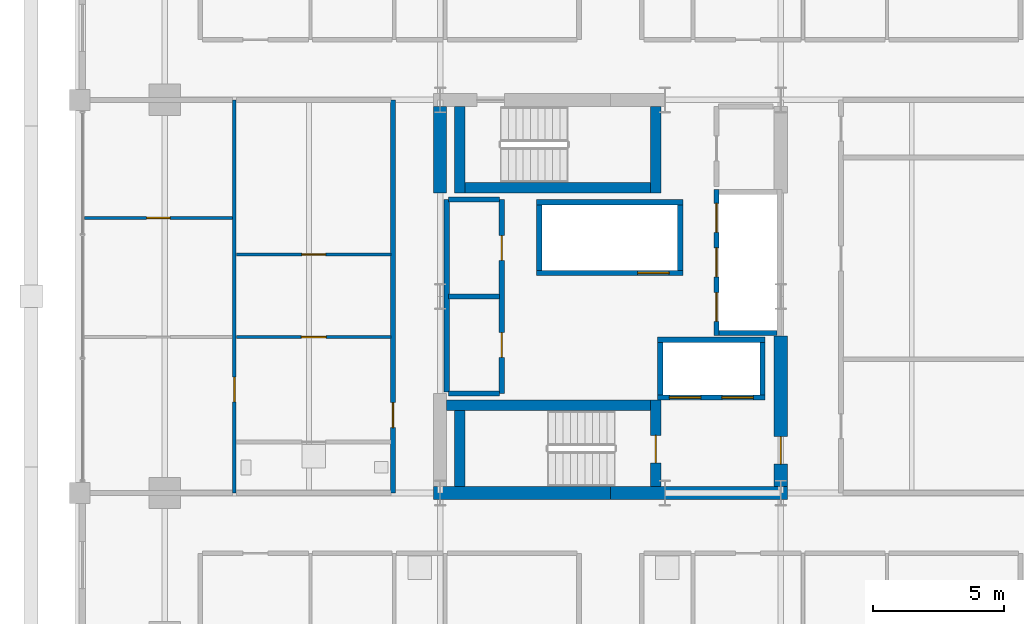
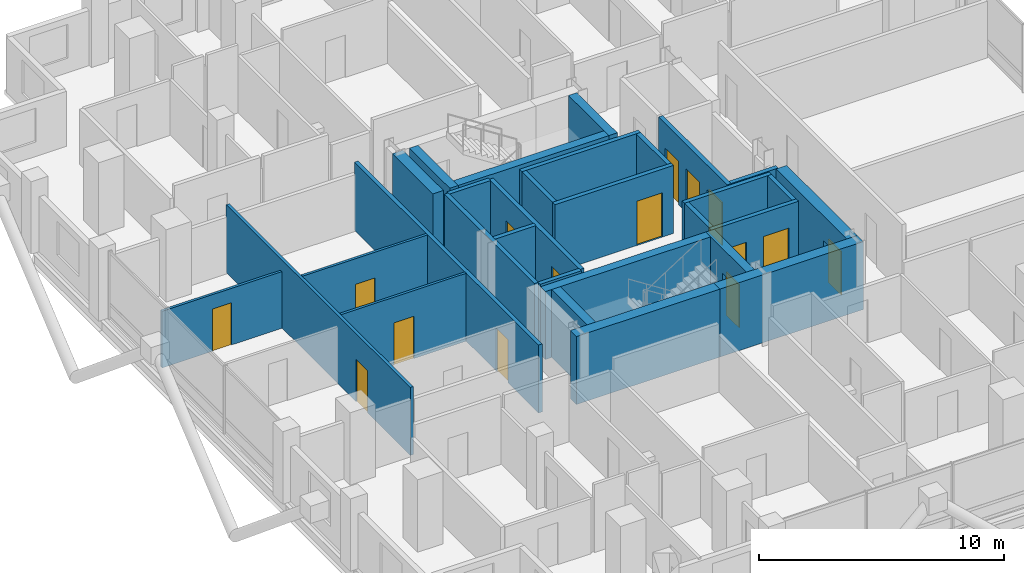
# One storey, part 18 of 23: 30 walls, 15 doors, 15 openings.
"""IFC4 building model written with IfcOpenShell, lengths in metres."""

from ifc_helpers import new_model, si_unit, direction, frame, frame_2d, origin, place, context, subcontext, project, spatial, rectangle, extrude, material, layer, layer_set, type_object, element, fill, save


model = new_model("IFC4")

# Units and contexts
model_context = context("Model", 3, precision=1e-05, world=origin(), true_north=direction((0.0, 1.0)))
body_context = subcontext(model_context, "Body", "Model", "MODEL_VIEW")
ifc_project = project(units=[si_unit("LENGTHUNIT", "METRE"), si_unit("AREAUNIT", "SQUARE_METRE"), si_unit("VOLUMEUNIT", "CUBIC_METRE"), si_unit("PLANEANGLEUNIT", "RADIAN"), si_unit("MASSUNIT", "GRAM", prefix="KILO")], contexts=[model_context])

# Site, building, storey
site_placement = place(None, origin())
site = spatial("IfcSite", under=ifc_project, at=site_placement, CompositionType="ELEMENT")
building_placement = place(site_placement, origin())
building = spatial("IfcBuilding", under=site, at=building_placement, Name="Barlavira Tower and Art Museum", CompositionType="ELEMENT")
storey_placement = place(building_placement, frame((0.0, 0.0, 140.39990234375)))
storey = spatial("IfcBuildingStorey", under=building, at=storey_placement, Name="L35", CompositionType="ELEMENT", Elevation=140.39990234375)

# Wall, opening, door
ifc_material_1 = material(Name="Gypsum acoustic stud partition", Category="gypsum")
ifc_layer_1 = layer(ifc_material_1, 0.1201171875, Name="Gypsum acoustic stud partition")
ifc_layer_set_1 = layer_set([ifc_layer_1], Name="Gypsum acoustic stud partition")
wall_type_1 = type_object("IfcWallType", Name="Apartment Internal Acoustic Partition 120", PredefinedType="PARTITIONING", material=ifc_layer_set_1)
wall_1_placement = place(storey_placement, frame((-14.27001953125, -1.550048828125, 0.0), z_axis=(0.0, 0.0, 1.0), x_axis=(1.0, 0.0, 0.0)))
wall_1 = element("IfcWall", 1, at=wall_1_placement, inside=storey, type_object=wall_type_1, Name="L35 Partition Wall 54", PredefinedType="PARTITIONING", context=body_context, shape_type="SweptSolid", body=[
    extrude(rectangle(XDim=5.89013671875, YDim=0.1201171875, at=frame_2d((2.945068359375, 0.0))), origin(), (0.0, 0.0, 1.0), 3.380126953125),
])
opening_1_placement = place(wall_1_placement, frame((2.47509765625, 0.0, 0.0)))
opening_1 = element("IfcOpeningElement", 2, at=opening_1_placement, cuts=wall_1, Name="Opening D-02", PredefinedType="OPENING", context=body_context, shape_type="SweptSolid", body=[
    extrude(rectangle(XDim=0.949951171875, YDim=2.10009765625, at=frame_2d((0.47509765625, 1.050048828125))), frame((0.0, 0.070068359375, 0.0), z_axis=(0.0, -1.0, 0.0), x_axis=(1.0, 0.0, 0.0)), (0.0, 0.0, 1.0), 0.14013671875),
])
ifc_material_2 = material(Name="Engineered coastal hardwood", Category="wood")
door_type_1 = type_object("IfcDoorType", Name="Living and Salon Glazed-Leaf Door 950x2100", OperationType="NOTDEFINED", PredefinedType="DOOR", material=ifc_material_2)
door_1_placement = place(opening_1_placement, origin())
door_1 = element("IfcDoor", 3, at=door_1_placement, inside=storey, type_object=door_type_1, Name="Apartment W1 Kitchen Door", OperationType="SINGLE_SWING_LEFT", OverallHeight=2.10009765625, OverallWidth=0.949951171875, PredefinedType="DOOR", context=body_context, shape_type="SweptSolid", body=[
    extrude(rectangle(XDim=0.949951171875, YDim=2.10009765625, at=frame_2d((0.47509765625, 1.050048828125))), frame((0.0, 0.02490234375, 0.0), z_axis=(0.0, -1.0, 0.0), x_axis=(1.0, 0.0, 0.0)), (0.0, 0.0, 1.0), 0.050048828125),
])
fill(opening_1, door_1)

wall_2_placement = place(storey_placement, frame((-14.27001953125, 1.60009765625, 0.0), z_axis=(0.0, 0.0, 1.0), x_axis=(1.0, 0.0, 0.0)))
wall_2 = element("IfcWall", 4, at=wall_2_placement, inside=storey, type_object=wall_type_1, Name="L35 Partition Wall 56", PredefinedType="PARTITIONING", context=body_context, shape_type="SweptSolid", body=[
    extrude(rectangle(XDim=5.89013671875, YDim=0.1201171875, at=frame_2d((2.945068359375, 0.0))), origin(), (0.0, 0.0, 1.0), 3.380126953125),
])
opening_2_placement = place(wall_2_placement, frame((2.5, 0.0, 0.0)))
opening_2 = element("IfcOpeningElement", 5, at=opening_2_placement, cuts=wall_2, Name="Opening D-01", PredefinedType="OPENING", context=body_context, shape_type="SweptSolid", body=[
    extrude(rectangle(XDim=0.89990234375, YDim=2.10009765625, at=frame_2d((0.449951171875, 1.050048828125))), frame((0.0, 0.070068359375, 0.0), z_axis=(0.0, -1.0, 0.0), x_axis=(1.0, 0.0, 0.0)), (0.0, 0.0, 1.0), 0.14013671875),
])
door_type_2 = type_object("IfcDoorType", Name="Internal Bedroom Timber Flush Door 900x2100", OperationType="NOTDEFINED", PredefinedType="DOOR", material=ifc_material_2)
door_2_placement = place(opening_2_placement, origin())
door_2 = element("IfcDoor", 6, at=door_2_placement, inside=storey, type_object=door_type_2, Name="Apartment W1 Walk-In Dressing Room Door", OperationType="SINGLE_SWING_RIGHT", OverallHeight=2.10009765625, OverallWidth=0.89990234375, PredefinedType="DOOR", context=body_context, shape_type="SweptSolid", body=[
    extrude(rectangle(XDim=0.89990234375, YDim=2.10009765625, at=frame_2d((0.449951171875, 1.050048828125))), frame((0.0, 0.02490234375, 0.0), z_axis=(0.0, -1.0, 0.0), x_axis=(1.0, 0.0, 0.0)), (0.0, 0.0, 1.0), 0.050048828125),
])
fill(opening_2, door_2)

wall_3_placement = place(storey_placement, frame((-20.070068359375, 3.0, 0.0), z_axis=(0.0, 0.0, 1.0), x_axis=(1.0, 0.0, 0.0)))
wall_3 = element("IfcWall", 7, at=wall_3_placement, inside=storey, type_object=wall_type_1, Name="L35 Partition Wall 57", PredefinedType="PARTITIONING", context=body_context, shape_type="SweptSolid", body=[
    extrude(rectangle(XDim=5.64013671875, YDim=0.1201171875, at=frame_2d((2.820068359375, 0.0))), origin(), (0.0, 0.0, 1.0), 2.816162109375),
])
opening_3_placement = place(wall_3_placement, frame((2.3701171875, 0.0, 0.0)))
opening_3 = element("IfcOpeningElement", 8, at=opening_3_placement, cuts=wall_3, Name="Opening D-01", PredefinedType="OPENING", context=body_context, shape_type="SweptSolid", body=[
    extrude(rectangle(XDim=0.89990234375, YDim=2.10009765625, at=frame_2d((0.449951171875, 1.050048828125))), frame((0.0, 0.070068359375, 0.0), z_axis=(0.0, -1.0, 0.0), x_axis=(1.0, 0.0, 0.0)), (0.0, 0.0, 1.0), 0.14013671875),
])
door_3_placement = place(opening_3_placement, origin())
door_3 = element("IfcDoor", 9, at=door_3_placement, inside=storey, type_object=door_type_2, Name="Apartment W1 Bedroom 2 Door", OperationType="SINGLE_SWING_LEFT", OverallHeight=2.10009765625, OverallWidth=0.89990234375, PredefinedType="DOOR", context=body_context, shape_type="SweptSolid", body=[
    extrude(rectangle(XDim=0.89990234375, YDim=2.10009765625, at=frame_2d((0.449951171875, 1.050048828125))), frame((0.0, 0.02490234375, 0.0), z_axis=(0.0, -1.0, 0.0), x_axis=(1.0, 0.0, 0.0)), (0.0, 0.0, 1.0), 0.050048828125),
])
fill(opening_3, door_3)

# Walls
ifc_material_3 = material(Name="Concrete C60", Category="concrete")
ifc_layer_2 = layer(ifc_material_3, 0.5, Name="Concrete C60")
ifc_layer_set_2 = layer_set([ifc_layer_2], Name="Concrete C60")
wall_type_2 = type_object("IfcWallType", Name="Core Structural Shear Wall 500 Concrete C60", PredefinedType="SHEAR", material=ifc_layer_set_2)
for number, where, z_axis, x_axis, name in (
    (10, (-6.75, -7.5, 0.0), (0.0, 0.0, 1.0), (1.0, 0.0, 0.0), "L35 Core Shear Wall CS-SW"),
    (11, (0.0, -7.5, 0.0), (0.0, 0.0, 1.0), (1.0, 0.0, 0.0), "L35 Core Shear Wall CS-SE"),
):
    element("IfcWall", number, at=place(storey_placement, frame(where, z_axis=z_axis, x_axis=x_axis)), inside=storey, type_object=wall_type_2, Name=name, PredefinedType="SHEAR", context=body_context, shape_type="SweptSolid", body=[
        extrude(rectangle(XDim=6.75, YDim=0.5, at=frame_2d((3.375, 0.0))), origin(), (0.0, 0.0, 1.0), 3.380126953125),
    ])
wall_4_placement = place(storey_placement, frame((-6.5, 3.949951171875, 0.0), z_axis=(0.0, 0.0, 1.0), x_axis=(0.0, 1.0, 0.0)))
element("IfcWall", 12, at=wall_4_placement, inside=storey, type_object=wall_type_2, Name="L35 Core Shear Wall CS-W2", PredefinedType="SHEAR", context=body_context, shape_type="SweptSolid", body=[
    extrude(rectangle(XDim=3.300048828125, YDim=0.5, at=frame_2d((1.64990234375, 0.0))), origin(), (0.0, 0.0, 1.0), 3.380126953125),
])

# Wall, opening, door
wall_5_placement = place(storey_placement, frame((6.5, -7.25, 0.0), z_axis=(0.0, 0.0, 1.0), x_axis=(0.0, 1.0, 0.0)))
wall_5 = element("IfcWall", 13, at=wall_5_placement, inside=storey, type_object=wall_type_2, Name="L35 Core Shear Wall CS-E1", PredefinedType="SHEAR", context=body_context, shape_type="SweptSolid", body=[
    extrude(rectangle(XDim=5.75, YDim=0.5, at=frame_2d((2.875, 0.0))), origin(), (0.0, 0.0, 1.0), 3.380126953125),
])
opening_4_placement = place(wall_5_placement, frame((0.85009765625, 0.0, 0.0)))
opening_4 = element("IfcOpeningElement", 14, at=opening_4_placement, cuts=wall_5, Name="Opening FD-90", PredefinedType="OPENING", context=body_context, shape_type="SweptSolid", body=[
    extrude(rectangle(XDim=1.050048828125, YDim=2.14990234375, at=frame_2d((0.52490234375, 1.074951171875))), frame((0.0, 0.260009765625, 0.0), z_axis=(0.0, -1.0, 0.0), x_axis=(1.0, 0.0, 0.0)), (0.0, 0.0, 1.0), 0.52001953125),
])
ifc_material_4 = material(Name="Brushed stainless steel", Category="steel")
door_type_3 = type_object("IfcDoorType", Name="Stair and Refuge Fire Door 1050x2150 FD90S", OperationType="NOTDEFINED", PredefinedType="DOOR", material=ifc_material_4)
door_4_placement = place(opening_4_placement, origin())
door_4 = element("IfcDoor", 15, at=door_4_placement, inside=storey, type_object=door_type_3, Name="L35 Firefighting Lobby Entry Fire Door", OperationType="SINGLE_SWING_LEFT", OverallHeight=2.14990234375, OverallWidth=1.050048828125, PredefinedType="DOOR", context=body_context, shape_type="SweptSolid", body=[
    extrude(rectangle(XDim=1.050048828125, YDim=2.14990234375, at=frame_2d((0.52490234375, 1.074951171875))), frame((0.0, 0.02490234375, 0.0), z_axis=(0.0, -1.0, 0.0), x_axis=(1.0, 0.0, 0.0)), (0.0, 0.0, 1.0), 0.050048828125),
])
fill(opening_4, door_4)

# Wall, openings, doors
ifc_material_5 = material(Name="Autoclaved aerated concrete masonry", Category="masonry")
ifc_layer_3 = layer(ifc_material_5, 0.199951171875, Name="Autoclaved aerated concrete masonry")
ifc_layer_set_3 = layer_set([ifc_layer_3], Name="Autoclaved aerated concrete masonry")
wall_type_3 = type_object("IfcWallType", Name="Fire Compartment and Shaft Wall 200", PredefinedType="SOLIDWALL", material=ifc_layer_set_3)
wall_6_placement = place(storey_placement, frame((4.050048828125, -1.489990234375, 0.0), z_axis=(0.0, 0.0, 1.0), x_axis=(0.0, 1.0, 0.0)))
wall_6 = element("IfcWall", 16, at=wall_6_placement, inside=storey, type_object=wall_type_3, Name="L35 Mid-Rise Lift Front Shaft Wall", PredefinedType="SOLIDWALL", context=body_context, shape_type="SweptSolid", body=[
    extrude(rectangle(XDim=5.580078125, YDim=0.199951171875, at=frame_2d((2.7900390625, 0.0))), origin(), (0.0, 0.0, 1.0), 3.380126953125),
])
opening_5_placement = place(wall_6_placement, frame((0.5400390625, 0.0, 0.0)))
opening_5 = element("IfcOpeningElement", 17, at=opening_5_placement, cuts=wall_6, Name="Opening LD-P", PredefinedType="OPENING", context=body_context, shape_type="SweptSolid", body=[
    extrude(rectangle(XDim=1.10009765625, YDim=2.14990234375, at=frame_2d((0.550048828125, 1.074951171875))), frame((0.0, 0.10986328125, 0.0), z_axis=(0.0, -1.0, 0.0), x_axis=(1.0, 0.0, 0.0)), (0.0, 0.0, 1.0), 0.219970703125),
])
opening_6_placement = place(wall_6_placement, frame((2.239990234375, 0.0, 0.0)))
opening_6 = element("IfcOpeningElement", 18, at=opening_6_placement, cuts=wall_6, Name="Opening LD-P", PredefinedType="OPENING", context=body_context, shape_type="SweptSolid", body=[
    extrude(rectangle(XDim=1.10009765625, YDim=2.14990234375, at=frame_2d((0.550048828125, 1.074951171875))), frame((0.0, 0.10986328125, 0.0), z_axis=(0.0, -1.0, 0.0), x_axis=(1.0, 0.0, 0.0)), (0.0, 0.0, 1.0), 0.219970703125),
])
opening_7_placement = place(wall_6_placement, frame((3.93994140625, 0.0, 0.0)))
opening_7 = element("IfcOpeningElement", 19, at=opening_7_placement, cuts=wall_6, Name="Opening LD-P", PredefinedType="OPENING", context=body_context, shape_type="SweptSolid", body=[
    extrude(rectangle(XDim=1.10009765625, YDim=2.14990234375, at=frame_2d((0.550048828125, 1.074951171875))), frame((0.0, 0.10986328125, 0.0), z_axis=(0.0, -1.0, 0.0), x_axis=(1.0, 0.0, 0.0)), (0.0, 0.0, 1.0), 0.219970703125),
])
door_type_4 = type_object("IfcDoorType", Name="Passenger Lift Sliding Landing Door 1100x2150 FD60", OperationType="NOTDEFINED", PredefinedType="DOOR", material=ifc_material_4)
door_5_placement = place(opening_5_placement, origin())
door_5 = element("IfcDoor", 20, at=door_5_placement, inside=storey, type_object=door_type_4, Name="L35 Lift PM1 Sliding Landing Door", OperationType="DOUBLE_DOOR_SLIDING", OverallHeight=2.14990234375, OverallWidth=1.10009765625, PredefinedType="DOOR", context=body_context, shape_type="SweptSolid", body=[
    extrude(rectangle(XDim=1.10009765625, YDim=2.14990234375, at=frame_2d((0.550048828125, 1.074951171875))), frame((0.0, 0.02490234375, 0.0), z_axis=(0.0, -1.0, 0.0), x_axis=(1.0, 0.0, 0.0)), (0.0, 0.0, 1.0), 0.050048828125),
])
fill(opening_5, door_5)
door_6_placement = place(opening_6_placement, origin())
door_6 = element("IfcDoor", 21, at=door_6_placement, inside=storey, type_object=door_type_4, Name="L35 Lift PM2 Sliding Landing Door", OperationType="DOUBLE_DOOR_SLIDING", OverallHeight=2.14990234375, OverallWidth=1.10009765625, PredefinedType="DOOR", context=body_context, shape_type="SweptSolid", body=[
    extrude(rectangle(XDim=1.10009765625, YDim=2.14990234375, at=frame_2d((0.550048828125, 1.074951171875))), frame((0.0, 0.02490234375, 0.0), z_axis=(0.0, -1.0, 0.0), x_axis=(1.0, 0.0, 0.0)), (0.0, 0.0, 1.0), 0.050048828125),
])
fill(opening_6, door_6)
door_7_placement = place(opening_7_placement, origin())
door_7 = element("IfcDoor", 22, at=door_7_placement, inside=storey, type_object=door_type_4, Name="L35 Lift PM3 Sliding Landing Door", OperationType="DOUBLE_DOOR_SLIDING", OverallHeight=2.14990234375, OverallWidth=1.10009765625, PredefinedType="DOOR", context=body_context, shape_type="SweptSolid", body=[
    extrude(rectangle(XDim=1.10009765625, YDim=2.14990234375, at=frame_2d((0.550048828125, 1.074951171875))), frame((0.0, 0.02490234375, 0.0), z_axis=(0.0, -1.0, 0.0), x_axis=(1.0, 0.0, 0.0)), (0.0, 0.0, 1.0), 0.050048828125),
])
fill(opening_7, door_7)

# Wall
wall_7_placement = place(storey_placement, frame((4.14990234375, -1.389892578125, 0.0), z_axis=(0.0, 0.0, 1.0), x_axis=(1.0, 0.0, 0.0)))
element("IfcWall", 23, at=wall_7_placement, inside=storey, type_object=wall_type_3, Name="L35 Mid-Rise Lift South Shaft Wall", PredefinedType="SOLIDWALL", context=body_context, shape_type="SweptSolid", body=[
    extrude(rectangle(XDim=2.2001953125, YDim=0.199951171875, at=frame_2d((1.10009765625, 0.0))), origin(), (0.0, 0.0, 1.0), 3.380126953125),
])

# Wall, opening, door
wall_8_placement = place(storey_placement, frame((-2.820068359375, 0.89990234375, 0.0), z_axis=(0.0, 0.0, 1.0), x_axis=(1.0, 0.0, 0.0)))
wall_8 = element("IfcWall", 24, at=wall_8_placement, inside=storey, type_object=wall_type_3, Name="L35 High-Rise & Service Lift Front Wall", PredefinedType="SOLIDWALL", context=body_context, shape_type="SweptSolid", body=[
    extrude(rectangle(XDim=5.580078125, YDim=0.199951171875, at=frame_2d((2.7900390625, 0.0))), origin(), (0.0, 0.0, 1.0), 3.380126953125),
])
opening_8_placement = place(wall_8_placement, frame((3.860107421875, 0.0, 0.0)))
opening_8 = element("IfcOpeningElement", 25, at=opening_8_placement, cuts=wall_8, Name="Opening LD-F", PredefinedType="OPENING", context=body_context, shape_type="SweptSolid", body=[
    extrude(rectangle(XDim=1.199951171875, YDim=2.199951171875, at=frame_2d((0.60009765625, 1.10009765625))), frame((0.0, 0.10986328125, 0.0), z_axis=(0.0, -1.0, 0.0), x_axis=(1.0, 0.0, 0.0)), (0.0, 0.0, 1.0), 0.219970703125),
])
door_type_5 = type_object("IfcDoorType", Name="Firefighting and Service Lift Sliding Door 1200x2200 FD120", OperationType="NOTDEFINED", PredefinedType="DOOR", material=ifc_material_4)
door_8_placement = place(opening_8_placement, origin())
door_8 = element("IfcDoor", 26, at=door_8_placement, inside=storey, type_object=door_type_5, Name="L35 Stretcher Service Lift SL1 Sliding Door", OperationType="DOUBLE_DOOR_SLIDING", OverallHeight=2.199951171875, OverallWidth=1.199951171875, PredefinedType="DOOR", context=body_context, shape_type="SweptSolid", body=[
    extrude(rectangle(XDim=1.199951171875, YDim=2.199951171875, at=frame_2d((0.60009765625, 1.10009765625))), frame((0.0, 0.02490234375, 0.0), z_axis=(0.0, -1.0, 0.0), x_axis=(1.0, 0.0, 0.0)), (0.0, 0.0, 1.0), 0.050048828125),
])
fill(opening_8, door_8)

# Walls
wall_9_placement = place(storey_placement, frame((-2.820068359375, 3.60009765625, 0.0), z_axis=(0.0, 0.0, 1.0), x_axis=(1.0, 0.0, 0.0)))
element("IfcWall", 27, at=wall_9_placement, inside=storey, type_object=wall_type_3, Name="L35 High-Rise & Service Lift Back Wall", PredefinedType="SOLIDWALL", context=body_context, shape_type="SweptSolid", body=[
    extrude(rectangle(XDim=5.580078125, YDim=0.199951171875, at=frame_2d((2.7900390625, 0.0))), origin(), (0.0, 0.0, 1.0), 3.380126953125),
])
for number, where, z_axis, x_axis, name in (
    (28, (-2.719970703125, 1.0, 0.0), (0.0, 0.0, 1.0), (0.0, 1.0, 0.0), "L35 High-Rise & Service Lift West Wall"),
    (29, (2.659912109375, 1.0, 0.0), (0.0, 0.0, 1.0), (0.0, 1.0, 0.0), "L35 High-Rise & Service Lift East Wall"),
):
    element("IfcWall", number, at=place(storey_placement, frame(where, z_axis=z_axis, x_axis=x_axis)), inside=storey, type_object=wall_type_3, Name=name, PredefinedType="SOLIDWALL", context=body_context, shape_type="SweptSolid", body=[
        extrude(rectangle(XDim=2.5, YDim=0.199951171875, at=frame_2d((1.25, 0.0))), origin(), (0.0, 0.0, 1.0), 3.380126953125),
    ])

# Wall, openings, doors
wall_10_placement = place(storey_placement, frame((1.800048828125, -3.85009765625, 0.0), z_axis=(0.0, 0.0, 1.0), x_axis=(1.0, 0.0, 0.0)))
wall_10 = element("IfcWall", 30, at=wall_10_placement, inside=storey, type_object=wall_type_3, Name="L35 Firefighting Lift Front Shaft Wall", PredefinedType="SOLIDWALL", context=body_context, shape_type="SweptSolid", body=[
    extrude(rectangle(XDim=4.099853515625, YDim=0.199951171875, at=frame_2d((2.0498046875, 0.0))), origin(), (0.0, 0.0, 1.0), 3.380126953125),
])
opening_9_placement = place(wall_10_placement, frame((0.449951171875, 0.0, 0.0)))
opening_9 = element("IfcOpeningElement", 31, at=opening_9_placement, cuts=wall_10, Name="Opening LD-F", PredefinedType="OPENING", context=body_context, shape_type="SweptSolid", body=[
    extrude(rectangle(XDim=1.199951171875, YDim=2.199951171875, at=frame_2d((0.60009765625, 1.10009765625))), frame((0.0, 0.10986328125, 0.0), z_axis=(0.0, -1.0, 0.0), x_axis=(1.0, 0.0, 0.0)), (0.0, 0.0, 1.0), 0.219970703125),
])
opening_10_placement = place(wall_10_placement, frame((2.449951171875, 0.0, 0.0)))
opening_10 = element("IfcOpeningElement", 32, at=opening_10_placement, cuts=wall_10, Name="Opening LD-F", PredefinedType="OPENING", context=body_context, shape_type="SweptSolid", body=[
    extrude(rectangle(XDim=1.199951171875, YDim=2.199951171875, at=frame_2d((0.60009765625, 1.10009765625))), frame((0.0, 0.10986328125, 0.0), z_axis=(0.0, -1.0, 0.0), x_axis=(1.0, 0.0, 0.0)), (0.0, 0.0, 1.0), 0.219970703125),
])
door_9_placement = place(opening_9_placement, origin())
door_9 = element("IfcDoor", 33, at=door_9_placement, inside=storey, type_object=door_type_5, Name="L35 Firefighting Lift FF1 Sliding Door", OperationType="DOUBLE_DOOR_SLIDING", OverallHeight=2.199951171875, OverallWidth=1.199951171875, PredefinedType="DOOR", context=body_context, shape_type="SweptSolid", body=[
    extrude(rectangle(XDim=1.199951171875, YDim=2.199951171875, at=frame_2d((0.60009765625, 1.10009765625))), frame((0.0, 0.02490234375, 0.0), z_axis=(0.0, -1.0, 0.0), x_axis=(1.0, 0.0, 0.0)), (0.0, 0.0, 1.0), 0.050048828125),
])
fill(opening_9, door_9)
door_10_placement = place(opening_10_placement, origin())
door_10 = element("IfcDoor", 34, at=door_10_placement, inside=storey, type_object=door_type_5, Name="L35 Firefighting Lift FF2 Sliding Door", OperationType="DOUBLE_DOOR_SLIDING", OverallHeight=2.199951171875, OverallWidth=1.199951171875, PredefinedType="DOOR", context=body_context, shape_type="SweptSolid", body=[
    extrude(rectangle(XDim=1.199951171875, YDim=2.199951171875, at=frame_2d((0.60009765625, 1.10009765625))), frame((0.0, 0.02490234375, 0.0), z_axis=(0.0, -1.0, 0.0), x_axis=(1.0, 0.0, 0.0)), (0.0, 0.0, 1.0), 0.050048828125),
])
fill(opening_10, door_10)

# Walls
wall_11_placement = place(storey_placement, frame((1.800048828125, -1.64990234375, 0.0), z_axis=(0.0, 0.0, 1.0), x_axis=(1.0, 0.0, 0.0)))
element("IfcWall", 35, at=wall_11_placement, inside=storey, type_object=wall_type_3, Name="L35 Firefighting Lift Back Shaft Wall", PredefinedType="SOLIDWALL", context=body_context, shape_type="SweptSolid", body=[
    extrude(rectangle(XDim=4.099853515625, YDim=0.199951171875, at=frame_2d((2.0498046875, 0.0))), origin(), (0.0, 0.0, 1.0), 3.380126953125),
])
for number, where, z_axis, x_axis, name in (
    (36, (1.89990234375, -3.75, 0.0), (0.0, 0.0, 1.0), (0.0, 1.0, 0.0), "L35 Firefighting Lift West Shaft Wall"),
    (37, (5.800048828125, -3.75, 0.0), (0.0, 0.0, 1.0), (0.0, 1.0, 0.0), "L35 Firefighting Lift East Shaft Wall"),
):
    element("IfcWall", number, at=place(storey_placement, frame(where, z_axis=z_axis, x_axis=x_axis)), inside=storey, type_object=wall_type_3, Name=name, PredefinedType="SOLIDWALL", context=body_context, shape_type="SweptSolid", body=[
        extrude(rectangle(XDim=2.0, YDim=0.199951171875, at=frame_2d((1.0, 0.0))), origin(), (0.0, 0.0, 1.0), 3.380126953125),
    ])
wall_12_placement = place(storey_placement, frame((-6.25, -3.639892578125, 0.0), z_axis=(0.0, 0.0, 1.0), x_axis=(0.0, 1.0, 0.0)))
element("IfcWall", 38, at=wall_12_placement, inside=storey, type_object=wall_type_3, Name="L35 Partition Wall 13", PredefinedType="SOLIDWALL", context=body_context, shape_type="SweptSolid", body=[
    extrude(rectangle(XDim=7.33984375, YDim=0.199951171875, at=frame_2d((3.669921875, 0.0))), origin(), (0.0, 0.0, 1.0), 3.380126953125),
])

# Wall, openings, doors
wall_13_placement = place(storey_placement, frame((-4.14990234375, -3.699951171875, 0.0), z_axis=(0.0, 0.0, 1.0), x_axis=(0.0, 1.0, 0.0)))
wall_13 = element("IfcWall", 39, at=wall_13_placement, inside=storey, type_object=wall_type_3, Name="L35 Partition Wall 14", PredefinedType="SOLIDWALL", context=body_context, shape_type="SweptSolid", body=[
    extrude(rectangle(XDim=7.39990234375, YDim=0.199951171875, at=frame_2d((3.699951171875, 0.0))), origin(), (0.0, 0.0, 1.0), 3.380126953125),
])
opening_11_placement = place(wall_13_placement, frame((1.375, 0.0, 0.0)))
opening_11 = element("IfcOpeningElement", 40, at=opening_11_placement, cuts=wall_13, Name="Opening FD-60", PredefinedType="OPENING", context=body_context, shape_type="SweptSolid", body=[
    extrude(rectangle(XDim=0.949951171875, YDim=2.14990234375, at=frame_2d((0.47509765625, 1.074951171875))), frame((0.0, 0.10986328125, 0.0), z_axis=(0.0, -1.0, 0.0), x_axis=(1.0, 0.0, 0.0)), (0.0, 0.0, 1.0), 0.219970703125),
])
opening_12_placement = place(wall_13_placement, frame((5.074951171875, 0.0, 0.0)))
opening_12 = element("IfcOpeningElement", 41, at=opening_12_placement, cuts=wall_13, Name="Opening FD-60", PredefinedType="OPENING", context=body_context, shape_type="SweptSolid", body=[
    extrude(rectangle(XDim=0.949951171875, YDim=2.14990234375, at=frame_2d((0.47509765625, 1.074951171875))), frame((0.0, 0.10986328125, 0.0), z_axis=(0.0, -1.0, 0.0), x_axis=(1.0, 0.0, 0.0)), (0.0, 0.0, 1.0), 0.219970703125),
])
door_type_6 = type_object("IfcDoorType", Name="Apartment Entrance and Riser Fire Door 950x2150 FD60S", OperationType="NOTDEFINED", PredefinedType="DOOR", material=ifc_material_4)
door_11_placement = place(opening_11_placement, origin())
door_11 = element("IfcDoor", 42, at=door_11_placement, inside=storey, type_object=door_type_6, Name="Reclaimed Core Linen and Amenity Store Door", OperationType="SINGLE_SWING_RIGHT", OverallHeight=2.14990234375, OverallWidth=0.949951171875, PredefinedType="DOOR", context=body_context, shape_type="SweptSolid", body=[
    extrude(rectangle(XDim=0.949951171875, YDim=2.14990234375, at=frame_2d((0.47509765625, 1.074951171875))), frame((0.0, 0.02490234375, 0.0), z_axis=(0.0, -1.0, 0.0), x_axis=(1.0, 0.0, 0.0)), (0.0, 0.0, 1.0), 0.050048828125),
])
fill(opening_11, door_11)
door_12_placement = place(opening_12_placement, origin())
door_12 = element("IfcDoor", 43, at=door_12_placement, inside=storey, type_object=door_type_6, Name="Reclaimed Core Telecom and BMS Room Door", OperationType="SINGLE_SWING_LEFT", OverallHeight=2.14990234375, OverallWidth=0.949951171875, PredefinedType="DOOR", context=body_context, shape_type="SweptSolid", body=[
    extrude(rectangle(XDim=0.949951171875, YDim=2.14990234375, at=frame_2d((0.47509765625, 1.074951171875))), frame((0.0, 0.02490234375, 0.0), z_axis=(0.0, -1.0, 0.0), x_axis=(1.0, 0.0, 0.0)), (0.0, 0.0, 1.0), 0.050048828125),
])
fill(opening_12, door_12)

# Walls
for number, where, z_axis, x_axis, name in (
    (44, (-6.169921875, -3.699951171875, 0.0), (0.0, 0.0, 1.0), (1.0, 0.0, 0.0), "L35 Partition Wall 51"),
    (45, (-6.169921875, 0.0, 0.0), (0.0, 0.0, 1.0), (1.0, 0.0, 0.0), "L35 Partition Wall 55"),
    (46, (-6.169921875, 3.699951171875, 0.0), (0.0, 0.0, 1.0), (1.0, 0.0, 0.0), "L35 Partition Wall 58"),
):
    element("IfcWall", number, at=place(storey_placement, frame(where, z_axis=z_axis, x_axis=x_axis)), inside=storey, type_object=wall_type_3, Name=name, PredefinedType="SOLIDWALL", context=body_context, shape_type="SweptSolid", body=[
        extrude(rectangle(XDim=1.93994140625, YDim=0.199951171875, at=frame_2d((0.969970703125, 0.0))), origin(), (0.0, 0.0, 1.0), 3.380126953125),
    ])

# Wall, opening, door
ifc_layer_4 = layer(ifc_material_1, 0.179931640625, Name="Gypsum acoustic stud partition")
ifc_layer_set_4 = layer_set([ifc_layer_4], Name="Gypsum acoustic stud partition")
wall_type_4 = type_object("IfcWallType", Name="Inter-Tenancy Party Partition Wall 180", PredefinedType="PARTITIONING", material=ifc_layer_set_4)
wall_14_placement = place(storey_placement, frame((-8.300048828125, -7.5, 0.0), z_axis=(0.0, 0.0, 1.0), x_axis=(0.0, 1.0, 0.0)))
wall_14 = element("IfcWall", 47, at=wall_14_placement, inside=storey, type_object=wall_type_4, Name="L35 Partition Wall 8", PredefinedType="PARTITIONING", context=body_context, shape_type="SweptSolid", body=[
    extrude(rectangle(XDim=15.0, YDim=0.179931640625, at=frame_2d((7.5, 0.0))), origin(), (0.0, 0.0, 1.0), 3.380126953125),
])
opening_13_placement = place(wall_14_placement, frame((2.4951171875, 0.0, 0.0)))
opening_13 = element("IfcOpeningElement", 48, at=opening_13_placement, cuts=wall_14, Name="Opening FD-60", PredefinedType="OPENING", context=body_context, shape_type="SweptSolid", body=[
    extrude(rectangle(XDim=0.949951171875, YDim=2.14990234375, at=frame_2d((0.47509765625, 1.074951171875))), frame((0.0, 0.10009765625, 0.0), z_axis=(0.0, -1.0, 0.0), x_axis=(1.0, 0.0, 0.0)), (0.0, 0.0, 1.0), 0.199951171875),
])
door_13_placement = place(opening_13_placement, origin())
door_13 = element("IfcDoor", 49, at=door_13_placement, inside=storey, type_object=door_type_6, Name="Apartment Entrance Hall W1 Door", OperationType="SINGLE_SWING_RIGHT", OverallHeight=2.14990234375, OverallWidth=0.949951171875, PredefinedType="DOOR", context=body_context, shape_type="SweptSolid", body=[
    extrude(rectangle(XDim=0.949951171875, YDim=2.14990234375, at=frame_2d((0.47509765625, 1.074951171875))), frame((0.0, 0.02490234375, 0.0), z_axis=(0.0, -1.0, 0.0), x_axis=(1.0, 0.0, 0.0)), (0.0, 0.0, 1.0), 0.050048828125),
])
fill(opening_13, door_13)

ifc_layer_5 = layer(ifc_material_1, 0.139892578125, Name="Gypsum acoustic stud partition")
ifc_layer_set_5 = layer_set([ifc_layer_5], Name="Gypsum acoustic stud partition")
wall_type_5 = type_object("IfcWallType", Name="Moisture-Resistant Bathroom Partition 140", PredefinedType="PARTITIONING", material=ifc_layer_set_5)
wall_15_placement = place(storey_placement, frame((-14.35009765625, -7.5, 0.0), z_axis=(0.0, 0.0, 1.0), x_axis=(0.0, 1.0, 0.0)))
wall_15 = element("IfcWall", 50, at=wall_15_placement, inside=storey, type_object=wall_type_5, Name="L35 Partition Wall 3", PredefinedType="PARTITIONING", context=body_context, shape_type="SweptSolid", body=[
    extrude(rectangle(XDim=15.0, YDim=0.139892578125, at=frame_2d((7.5, 0.0))), origin(), (0.0, 0.0, 1.0), 3.380126953125),
])
opening_14_placement = place(wall_15_placement, frame((3.47509765625, 0.0, 0.0)))
opening_14 = element("IfcOpeningElement", 51, at=opening_14_placement, cuts=wall_15, Name="Opening D-02", PredefinedType="OPENING", context=body_context, shape_type="SweptSolid", body=[
    extrude(rectangle(XDim=0.949951171875, YDim=2.10009765625, at=frame_2d((0.47509765625, 1.050048828125))), frame((0.0, 0.080078125, 0.0), z_axis=(0.0, -1.0, 0.0), x_axis=(1.0, 0.0, 0.0)), (0.0, 0.0, 1.0), 0.159912109375),
])
door_14_placement = place(opening_14_placement, origin())
door_14 = element("IfcDoor", 52, at=door_14_placement, inside=storey, type_object=door_type_1, Name="Apartment W1 Living Lounge Door", OperationType="SINGLE_SWING_LEFT", OverallHeight=2.10009765625, OverallWidth=0.949951171875, PredefinedType="DOOR", context=body_context, shape_type="SweptSolid", body=[
    extrude(rectangle(XDim=0.949951171875, YDim=2.10009765625, at=frame_2d((0.47509765625, 1.050048828125))), frame((0.0, 0.02490234375, 0.0), z_axis=(0.0, -1.0, 0.0), x_axis=(1.0, 0.0, 0.0)), (0.0, 0.0, 1.0), 0.050048828125),
])
fill(opening_14, door_14)

# Walls
ifc_material_6 = material(Name="Concrete C55", Category="concrete")
ifc_layer_6 = layer(ifc_material_6, 0.39990234375, Name="Concrete C55")
ifc_layer_set_6 = layer_set([ifc_layer_6], Name="Concrete C55")
wall_type_6 = type_object("IfcWallType", Name="Upper Core Shear Wall 400 Concrete C55", PredefinedType="SHEAR", material=ifc_layer_set_6)
wall_16_placement = place(storey_placement, frame((-5.75, -7.25, 0.0), z_axis=(0.0, 0.0, 1.0), x_axis=(0.0, 1.0, 0.0)))
element("IfcWall", 53, at=wall_16_placement, inside=storey, type_object=wall_type_6, Name="L35 ST-T1 West Half-Landing Wall", PredefinedType="SHEAR", context=body_context, shape_type="SweptSolid", body=[
    extrude(rectangle(XDim=2.89990234375, YDim=0.39990234375, at=frame_2d((1.449951171875, 0.0))), origin(), (0.0, 0.0, 1.0), 3.380126953125),
])
wall_17_placement = place(storey_placement, frame((-6.25, -4.14990234375, 0.0), z_axis=(0.0, 0.0, 1.0), x_axis=(1.0, 0.0, 0.0)))
element("IfcWall", 54, at=wall_17_placement, inside=storey, type_object=wall_type_6, Name="L35 ST-T1 North Shaft Wall", PredefinedType="SHEAR", context=body_context, shape_type="SweptSolid", body=[
    extrude(rectangle(XDim=7.780029296875, YDim=0.39990234375, at=frame_2d((3.89013671875, 0.0))), origin(), (0.0, 0.0, 1.0), 3.380126953125),
])

# Wall, opening, door
wall_18_placement = place(storey_placement, frame((1.72998046875, -7.25, 0.0), z_axis=(0.0, 0.0, 1.0), x_axis=(0.0, 1.0, 0.0)))
wall_18 = element("IfcWall", 55, at=wall_18_placement, inside=storey, type_object=wall_type_6, Name="L35 ST-T1 East Landing Wall", PredefinedType="SHEAR", context=body_context, shape_type="SweptSolid", body=[
    extrude(rectangle(XDim=3.300048828125, YDim=0.39990234375, at=frame_2d((1.64990234375, 0.0))), origin(), (0.0, 0.0, 1.0), 3.380126953125),
])
opening_15_placement = place(wall_18_placement, frame((0.89990234375, 0.0, 0.0)))
opening_15 = element("IfcOpeningElement", 56, at=opening_15_placement, cuts=wall_18, Name="Opening FD-90", PredefinedType="OPENING", context=body_context, shape_type="SweptSolid", body=[
    extrude(rectangle(XDim=1.050048828125, YDim=2.14990234375, at=frame_2d((0.52490234375, 1.074951171875))), frame((0.0, 0.2099609375, 0.0), z_axis=(0.0, -1.0, 0.0), x_axis=(1.0, 0.0, 0.0)), (0.0, 0.0, 1.0), 0.419921875),
])
door_15_placement = place(opening_15_placement, origin())
door_15 = element("IfcDoor", 57, at=door_15_placement, inside=storey, type_object=door_type_3, Name="L35 Stair ST-T1 Fire Door", OperationType="SINGLE_SWING_RIGHT", OverallHeight=2.14990234375, OverallWidth=1.050048828125, PredefinedType="DOOR", context=body_context, shape_type="SweptSolid", body=[
    extrude(rectangle(XDim=1.050048828125, YDim=2.14990234375, at=frame_2d((0.52490234375, 1.074951171875))), frame((0.0, 0.02490234375, 0.0), z_axis=(0.0, -1.0, 0.0), x_axis=(1.0, 0.0, 0.0)), (0.0, 0.0, 1.0), 0.050048828125),
])
fill(opening_15, door_15)

# Walls
wall_19_placement = place(storey_placement, frame((-5.550048828125, 4.14990234375, 0.0), z_axis=(0.0, 0.0, 1.0), x_axis=(1.0, 0.0, 0.0)))
element("IfcWall", 58, at=wall_19_placement, inside=storey, type_object=wall_type_6, Name="L35 ST-T2 South Shaft Wall", PredefinedType="SHEAR", context=body_context, shape_type="SweptSolid", body=[
    extrude(rectangle(XDim=7.080078125, YDim=0.39990234375, at=frame_2d((3.5400390625, 0.0))), origin(), (0.0, 0.0, 1.0), 3.380126953125),
])
for number, where, z_axis, x_axis, name in (
    (59, (1.72998046875, 3.949951171875, 0.0), (0.0, 0.0, 1.0), (0.0, 1.0, 0.0), "L35 ST-T2 East Half-Landing Wall"),
    (60, (-5.75, 3.949951171875, 0.0), (0.0, 0.0, 1.0), (0.0, 1.0, 0.0), "L35 ST-T2 West Shaft Wall"),
):
    element("IfcWall", number, at=place(storey_placement, frame(where, z_axis=z_axis, x_axis=x_axis)), inside=storey, type_object=wall_type_6, Name=name, PredefinedType="SHEAR", context=body_context, shape_type="SweptSolid", body=[
        extrude(rectangle(XDim=3.300048828125, YDim=0.39990234375, at=frame_2d((1.64990234375, 0.0))), origin(), (0.0, 0.0, 1.0), 3.380126953125),
    ])

save(model, "model.ifc")
